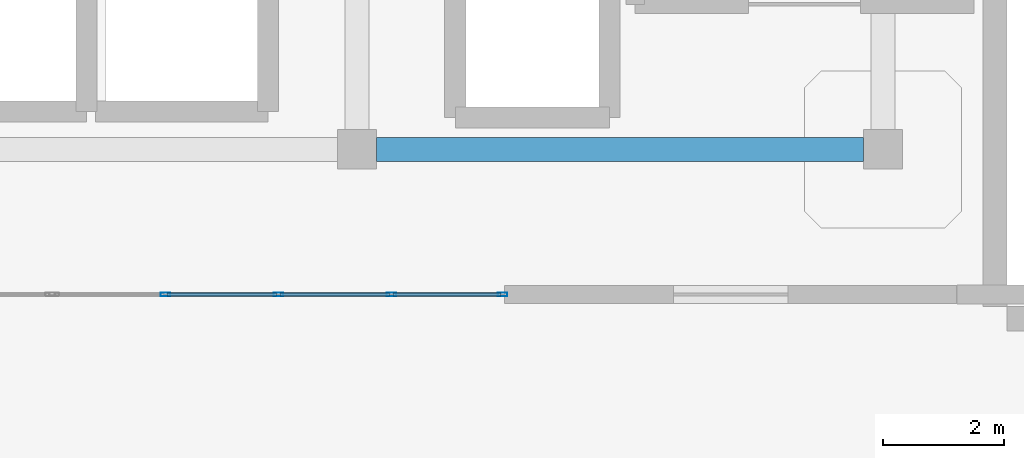
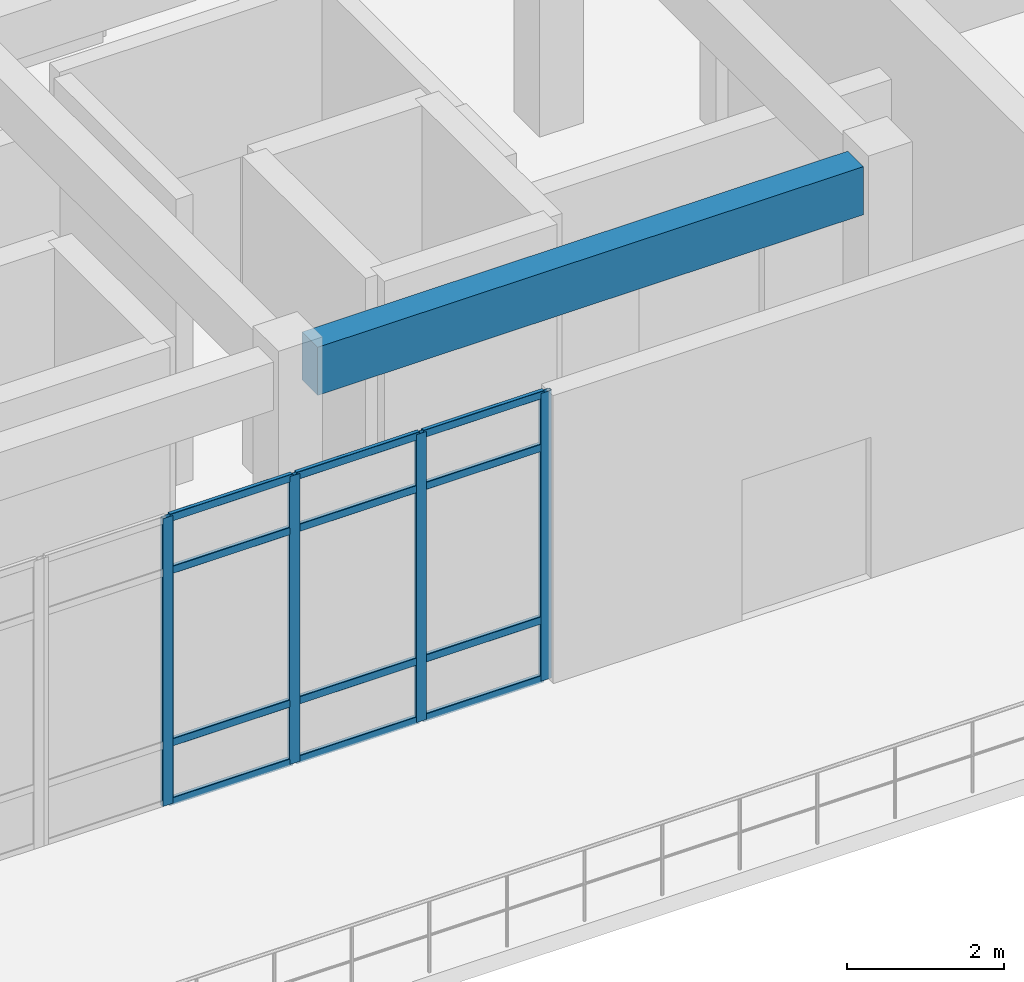
# One storey, part 15 of 41: 16 members, 1 beam, 1 element without a shape of its own.
"""IFC4 building model written with IfcOpenShell, lengths in metres."""

from ifc_helpers import new_model, si_unit, derived_unit, direction, frame, origin, origin_2d, place, context, subcontext, project, spatial, rectangle, hollow_rectangle, extrude, material, layer, layer_set, material_profile, profile_set, type_object, element, aggregate, save


model = new_model("IFC4")

# Units and contexts
model_context = context("Model", 3, precision=1e-05, world=origin(), true_north=direction((0.0, 1.0)))
body_context = subcontext(model_context, "Body", "Model", "MODEL_VIEW")
ifc_project = project(units=[si_unit("LENGTHUNIT", "METRE"), si_unit("AREAUNIT", "SQUARE_METRE"), si_unit("VOLUMEUNIT", "CUBIC_METRE"), si_unit("PLANEANGLEUNIT", "RADIAN"), si_unit("MASSUNIT", "GRAM", prefix="KILO"), derived_unit("THERMALTRANSMITTANCEUNIT", [(si_unit("MASSUNIT", "GRAM", prefix="KILO"), 1), (si_unit("TIMEUNIT", "SECOND"), -3), (si_unit("THERMODYNAMICTEMPERATUREUNIT", "KELVIN"), -1)])], contexts=[model_context])

# Site, building, storey
site_placement = place(None, origin())
site = spatial("IfcSite", under=ifc_project, at=site_placement, CompositionType="ELEMENT")
building_placement = place(site_placement, origin())
building = spatial("IfcBuilding", under=site, at=building_placement, Name="Qinzheling Arcade Emporium", CompositionType="ELEMENT")
storey_placement = place(building_placement, frame((0.0, 0.0, 36.300048828125)))
storey = spatial("IfcBuildingStorey", under=building, at=storey_placement, Name="L08", CompositionType="ELEMENT", Elevation=36.300048828125)

# Curtain wall, members
ifc_material_1 = material(Name="Anodised aluminium and solar-control double glazing", Category="aluminium")
ifc_layer = layer(ifc_material_1, 0.159912109375, Name="Anodised aluminium and solar-control double glazing", Category="aluminium")
ifc_layer_set = layer_set([ifc_layer], Name="Anodised aluminium and solar-control double glazing")
curtain_wall_type = type_object("IfcCurtainWallType", Name="Arcade Portal Glazed Curtain Wall", PredefinedType="NOTDEFINED", material=ifc_layer_set)
curtain_wall_placement = place(storey_placement, origin())
curtain_wall = element("IfcCurtainWall", 1, at=curtain_wall_placement, inside=storey, type_object=curtain_wall_type, Name="Curtain Wall CW-L08-450", PredefinedType="NOTDEFINED")
ifc_material_2 = material(Name="Anodised aluminium 6063-T6", Category="aluminium")
ifc_material_profile_1 = material_profile(ifc_material_2, hollow_rectangle(XDim=0.06005859375, YDim=0.159912109375, WallThickness=0.00390625, InnerFilletRadius=0.00390625, OuterFilletRadius=0.008056640625, at=origin_2d()), Name="RHS 160x60x4", Category="aluminium")
ifc_profile_set_1 = profile_set([ifc_material_profile_1], Name="Anodised aluminium 6063-T6")
member_type_1 = type_object("IfcMemberType", Name="Curtain Wall Mullion RHS160x60", PredefinedType="MULLION", material=ifc_profile_set_1)
member_1_placement = place(storey_placement, frame((54.60791015625, 22.800048828125, 0.0), z_axis=(0.0, 0.0, 1.0), x_axis=(0.0, -1.0, 0.0)))
member_1 = element("IfcMember", 2, at=member_1_placement, type_object=member_type_1, Name="CW05 mullion 1", PredefinedType="MULLION", context=body_context, shape_type="SweptSolid", body=[
    extrude(hollow_rectangle(XDim=0.06005859375, YDim=0.159912109375, WallThickness=0.00390625, InnerFilletRadius=0.00390625, OuterFilletRadius=0.008056640625, at=origin_2d()), origin(), (0.0, 0.0, 1.0), 4.489990234375),
])
member_2_placement = place(storey_placement, frame((52.76904296875, 22.800048828125, 0.0), z_axis=(0.0, 0.0, 1.0), x_axis=(0.0, -1.0, 0.0)))
member_2 = element("IfcMember", 3, at=member_2_placement, type_object=member_type_1, Name="CW05 mullion 2", PredefinedType="MULLION", context=body_context, shape_type="SweptSolid", body=[
    extrude(hollow_rectangle(XDim=0.06005859375, YDim=0.159912109375, WallThickness=0.00390625, InnerFilletRadius=0.00390625, OuterFilletRadius=0.008056640625, at=origin_2d()), origin(), (0.0, 0.0, 1.0), 4.489990234375),
])
member_3_placement = place(storey_placement, frame((50.89990234375, 22.800048828125, 0.0), z_axis=(0.0, 0.0, 1.0), x_axis=(0.0, -1.0, 0.0)))
member_3 = element("IfcMember", 4, at=member_3_placement, type_object=member_type_1, Name="CW05 mullion 3", PredefinedType="MULLION", context=body_context, shape_type="SweptSolid", body=[
    extrude(hollow_rectangle(XDim=0.06005859375, YDim=0.159912109375, WallThickness=0.00390625, InnerFilletRadius=0.00390625, OuterFilletRadius=0.008056640625, at=origin_2d()), origin(), (0.0, 0.0, 1.0), 4.489990234375),
])
member_4_placement = place(storey_placement, frame((49.031005859375, 22.800048828125, 0.0), z_axis=(0.0, 0.0, 1.0), x_axis=(0.0, -1.0, 0.0)))
member_4 = element("IfcMember", 5, at=member_4_placement, type_object=member_type_1, Name="CW05 mullion 4", PredefinedType="MULLION", context=body_context, shape_type="SweptSolid", body=[
    extrude(hollow_rectangle(XDim=0.06005859375, YDim=0.159912109375, WallThickness=0.00390625, InnerFilletRadius=0.00390625, OuterFilletRadius=0.008056640625, at=origin_2d()), origin(), (0.0, 0.0, 1.0), 4.489990234375),
])
ifc_material_profile_2 = material_profile(ifc_material_2, hollow_rectangle(XDim=0.06005859375, YDim=0.1201171875, WallThickness=0.00390625, InnerFilletRadius=0.00390625, OuterFilletRadius=0.008056640625, at=origin_2d()), Name="RHS 120x60x4", Category="aluminium")
ifc_profile_set_2 = profile_set([ifc_material_profile_2], Name="Anodised aluminium 6063-T6")
member_type_2 = type_object("IfcMemberType", Name="Curtain Wall Transom RHS120x60", PredefinedType="USERDEFINED", material=ifc_profile_set_2)
member_5_placement = place(storey_placement, frame((54.577880859375, 22.800048828125, 0.030029296875), z_axis=(-1.0, 0.0, 0.0), x_axis=(0.0, -1.0, 0.0)))
member_5 = element("IfcMember", 6, at=member_5_placement, type_object=member_type_2, Name="CW05 transom 1.1", ObjectType="TRANSOM", PredefinedType="USERDEFINED", context=body_context, shape_type="SweptSolid", body=[
    extrude(hollow_rectangle(XDim=0.06005859375, YDim=0.1201171875, WallThickness=0.00390625, InnerFilletRadius=0.00390625, OuterFilletRadius=0.008056640625, at=origin_2d()), origin(), (0.0, 0.0, 1.0), 1.77880859375),
])
member_6_placement = place(storey_placement, frame((54.577880859375, 22.800048828125, 0.949951171875), z_axis=(-1.0, 0.0, 0.0), x_axis=(0.0, -1.0, 0.0)))
member_6 = element("IfcMember", 7, at=member_6_placement, type_object=member_type_2, Name="CW05 transom 1.2", ObjectType="TRANSOM", PredefinedType="USERDEFINED", context=body_context, shape_type="SweptSolid", body=[
    extrude(hollow_rectangle(XDim=0.06005859375, YDim=0.1201171875, WallThickness=0.00390625, InnerFilletRadius=0.00390625, OuterFilletRadius=0.008056640625, at=origin_2d()), origin(), (0.0, 0.0, 1.0), 1.77880859375),
])
member_7_placement = place(storey_placement, frame((54.577880859375, 22.800048828125, 3.639892578125), z_axis=(-1.0, 0.0, 0.0), x_axis=(0.0, -1.0, 0.0)))
member_7 = element("IfcMember", 8, at=member_7_placement, type_object=member_type_2, Name="CW05 transom 1.3", ObjectType="TRANSOM", PredefinedType="USERDEFINED", context=body_context, shape_type="SweptSolid", body=[
    extrude(hollow_rectangle(XDim=0.06005859375, YDim=0.1201171875, WallThickness=0.00390625, InnerFilletRadius=0.00390625, OuterFilletRadius=0.008056640625, at=origin_2d()), origin(), (0.0, 0.0, 1.0), 1.77880859375),
])
member_8_placement = place(storey_placement, frame((54.577880859375, 22.800048828125, 4.4599609375), z_axis=(-1.0, 0.0, 0.0), x_axis=(0.0, -1.0, 0.0)))
member_8 = element("IfcMember", 9, at=member_8_placement, type_object=member_type_2, Name="CW05 transom 1.4", ObjectType="TRANSOM", PredefinedType="USERDEFINED", context=body_context, shape_type="SweptSolid", body=[
    extrude(hollow_rectangle(XDim=0.06005859375, YDim=0.1201171875, WallThickness=0.00390625, InnerFilletRadius=0.00390625, OuterFilletRadius=0.008056640625, at=origin_2d()), origin(), (0.0, 0.0, 1.0), 1.77880859375),
])
member_9_placement = place(storey_placement, frame((52.739013671875, 22.800048828125, 0.030029296875), z_axis=(-1.0, 0.0, 0.0), x_axis=(0.0, -1.0, 0.0)))
member_9 = element("IfcMember", 10, at=member_9_placement, type_object=member_type_2, Name="CW05 transom 2.1", ObjectType="TRANSOM", PredefinedType="USERDEFINED", context=body_context, shape_type="SweptSolid", body=[
    extrude(hollow_rectangle(XDim=0.06005859375, YDim=0.1201171875, WallThickness=0.00390625, InnerFilletRadius=0.00390625, OuterFilletRadius=0.008056640625, at=origin_2d()), origin(), (0.0, 0.0, 1.0), 1.80908203125),
])
member_10_placement = place(storey_placement, frame((52.739013671875, 22.800048828125, 0.949951171875), z_axis=(-1.0, 0.0, 0.0), x_axis=(0.0, -1.0, 0.0)))
member_10 = element("IfcMember", 11, at=member_10_placement, type_object=member_type_2, Name="CW05 transom 2.2", ObjectType="TRANSOM", PredefinedType="USERDEFINED", context=body_context, shape_type="SweptSolid", body=[
    extrude(hollow_rectangle(XDim=0.06005859375, YDim=0.1201171875, WallThickness=0.00390625, InnerFilletRadius=0.00390625, OuterFilletRadius=0.008056640625, at=origin_2d()), origin(), (0.0, 0.0, 1.0), 1.80908203125),
])
member_11_placement = place(storey_placement, frame((52.739013671875, 22.800048828125, 3.639892578125), z_axis=(-1.0, 0.0, 0.0), x_axis=(0.0, -1.0, 0.0)))
member_11 = element("IfcMember", 12, at=member_11_placement, type_object=member_type_2, Name="CW05 transom 2.3", ObjectType="TRANSOM", PredefinedType="USERDEFINED", context=body_context, shape_type="SweptSolid", body=[
    extrude(hollow_rectangle(XDim=0.06005859375, YDim=0.1201171875, WallThickness=0.00390625, InnerFilletRadius=0.00390625, OuterFilletRadius=0.008056640625, at=origin_2d()), origin(), (0.0, 0.0, 1.0), 1.80908203125),
])
member_12_placement = place(storey_placement, frame((52.739013671875, 22.800048828125, 4.4599609375), z_axis=(-1.0, 0.0, 0.0), x_axis=(0.0, -1.0, 0.0)))
member_12 = element("IfcMember", 13, at=member_12_placement, type_object=member_type_2, Name="CW05 transom 2.4", ObjectType="TRANSOM", PredefinedType="USERDEFINED", context=body_context, shape_type="SweptSolid", body=[
    extrude(hollow_rectangle(XDim=0.06005859375, YDim=0.1201171875, WallThickness=0.00390625, InnerFilletRadius=0.00390625, OuterFilletRadius=0.008056640625, at=origin_2d()), origin(), (0.0, 0.0, 1.0), 1.80908203125),
])
member_13_placement = place(storey_placement, frame((50.8701171875, 22.800048828125, 0.030029296875), z_axis=(-1.0, 0.0, 0.0), x_axis=(0.0, -1.0, 0.0)))
member_13 = element("IfcMember", 14, at=member_13_placement, type_object=member_type_2, Name="CW05 transom 3.1", ObjectType="TRANSOM", PredefinedType="USERDEFINED", context=body_context, shape_type="SweptSolid", body=[
    extrude(hollow_rectangle(XDim=0.06005859375, YDim=0.1201171875, WallThickness=0.00390625, InnerFilletRadius=0.00390625, OuterFilletRadius=0.008056640625, at=origin_2d()), origin(), (0.0, 0.0, 1.0), 1.80908203125),
])
member_14_placement = place(storey_placement, frame((50.8701171875, 22.800048828125, 0.949951171875), z_axis=(-1.0, 0.0, 0.0), x_axis=(0.0, -1.0, 0.0)))
member_14 = element("IfcMember", 15, at=member_14_placement, type_object=member_type_2, Name="CW05 transom 3.2", ObjectType="TRANSOM", PredefinedType="USERDEFINED", context=body_context, shape_type="SweptSolid", body=[
    extrude(hollow_rectangle(XDim=0.06005859375, YDim=0.1201171875, WallThickness=0.00390625, InnerFilletRadius=0.00390625, OuterFilletRadius=0.008056640625, at=origin_2d()), origin(), (0.0, 0.0, 1.0), 1.80908203125),
])
member_15_placement = place(storey_placement, frame((50.8701171875, 22.800048828125, 3.639892578125), z_axis=(-1.0, 0.0, 0.0), x_axis=(0.0, -1.0, 0.0)))
member_15 = element("IfcMember", 16, at=member_15_placement, type_object=member_type_2, Name="CW05 transom 3.3", ObjectType="TRANSOM", PredefinedType="USERDEFINED", context=body_context, shape_type="SweptSolid", body=[
    extrude(hollow_rectangle(XDim=0.06005859375, YDim=0.1201171875, WallThickness=0.00390625, InnerFilletRadius=0.00390625, OuterFilletRadius=0.008056640625, at=origin_2d()), origin(), (0.0, 0.0, 1.0), 1.80908203125),
])
member_16_placement = place(storey_placement, frame((50.8701171875, 22.800048828125, 4.4599609375), z_axis=(-1.0, 0.0, 0.0), x_axis=(0.0, -1.0, 0.0)))
member_16 = element("IfcMember", 17, at=member_16_placement, type_object=member_type_2, Name="CW05 transom 3.4", ObjectType="TRANSOM", PredefinedType="USERDEFINED", context=body_context, shape_type="SweptSolid", body=[
    extrude(hollow_rectangle(XDim=0.06005859375, YDim=0.1201171875, WallThickness=0.00390625, InnerFilletRadius=0.00390625, OuterFilletRadius=0.008056640625, at=origin_2d()), origin(), (0.0, 0.0, 1.0), 1.80908203125),
])
aggregate(curtain_wall, [member_1, member_2, member_3, member_4, member_5, member_6, member_7, member_8, member_9, member_10, member_11, member_12, member_13, member_14, member_15, member_16])

# Beam
ifc_material_3 = material(Name="Concrete C40", Category="concrete")
ifc_material_profile_3 = material_profile(ifc_material_3, rectangle(XDim=0.39990234375, YDim=0.75, at=origin_2d()), Name="RC 400x750", Category="concrete")
ifc_profile_set_3 = profile_set([ifc_material_profile_3], Name="Concrete C40")
beam_type = type_object("IfcBeamType", Name="RC Interior Tie Beam 400x750 C40", PredefinedType="BEAM", material=ifc_profile_set_3)
beam_placement = place(storey_placement, frame((52.52490234375, 25.199951171875, 4.18505859375), z_axis=(1.0, 0.0, 0.0), x_axis=(0.0, 1.0, 0.0)))
element("IfcBeam", 18, at=beam_placement, inside=storey, type_object=beam_type, Name="Beam BM-L08-X-D-7", PredefinedType="BEAM", context=body_context, shape_type="SweptSolid", body=[
    extrude(rectangle(XDim=0.39990234375, YDim=0.75, at=origin_2d()), origin(), (0.0, 0.0, 1.0), 8.050048828125),
])

save(model, "model.ifc")
